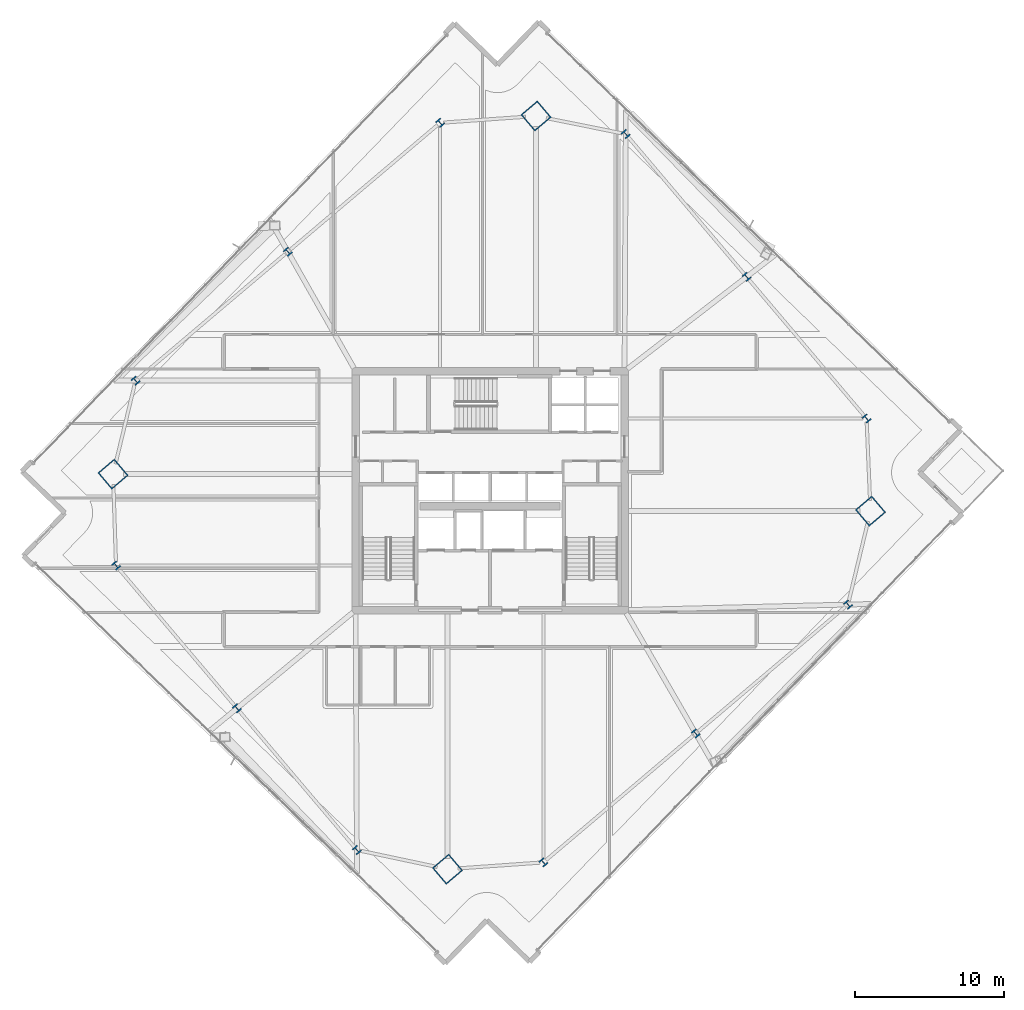
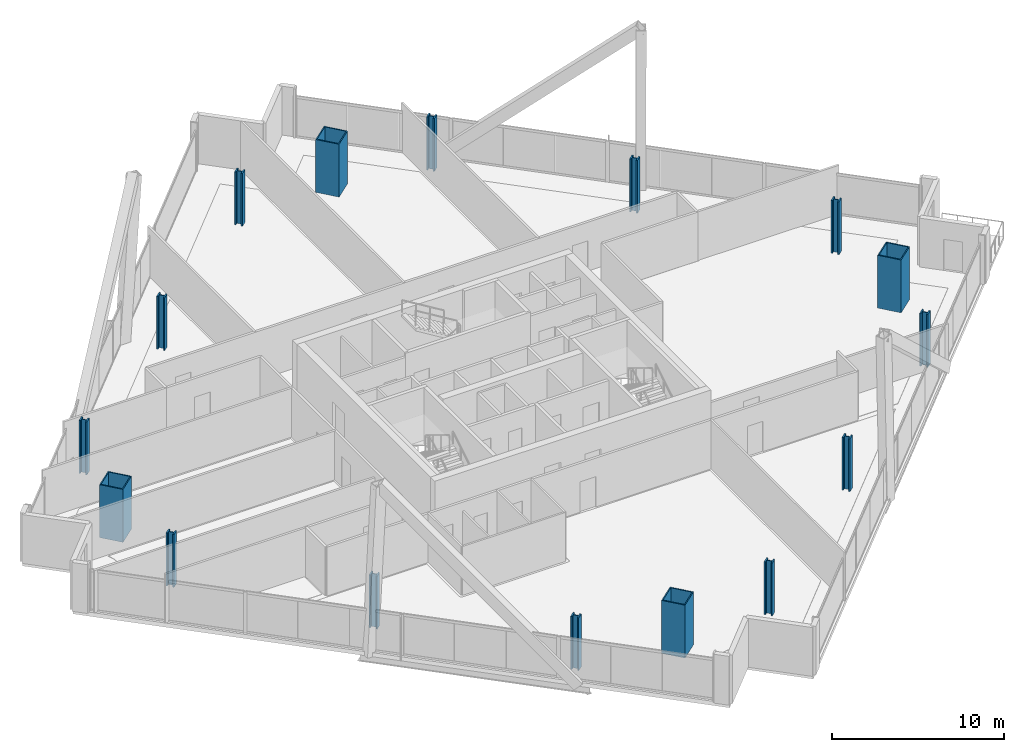
# One storey, part 1 of 33: 16 columns.
"""IFC4 building model written with IfcOpenShell, lengths in metres."""

from ifc_helpers import new_model, si_unit, direction, frame, origin, origin_2d, place, context, subcontext, project, spatial, hollow_rectangle, i_section, extrude, material, material_profile, profile_set, type_object, element, save


model = new_model("IFC4")

# Units and contexts
model_context = context("Model", 3, precision=1e-05, world=origin(), true_north=direction((0.0, 1.0)))
body_context = subcontext(model_context, "Body", "Model", "MODEL_VIEW")
ifc_project = project(units=[si_unit("LENGTHUNIT", "METRE"), si_unit("AREAUNIT", "SQUARE_METRE"), si_unit("VOLUMEUNIT", "CUBIC_METRE"), si_unit("PLANEANGLEUNIT", "RADIAN"), si_unit("MASSUNIT", "GRAM", prefix="KILO")], contexts=[model_context])

# Site, building, storey
site_placement = place(None, origin())
site = spatial("IfcSite", under=ifc_project, at=site_placement, CompositionType="ELEMENT")
building_placement = place(site_placement, origin())
building = spatial("IfcBuilding", under=site, at=building_placement, Name="Haldenkirk Collegiate Tower", CompositionType="ELEMENT")
storey_placement = place(building_placement, frame((0.0, 0.0, 181.949951171875)))
storey = spatial("IfcBuildingStorey", under=building, at=storey_placement, Name="L45", CompositionType="ELEMENT", Elevation=181.949951171875)

# Columns
ifc_material_1 = material(Name="Steel ASTM A913 Grade 65", Category="steel")
ifc_material_profile_1 = material_profile(ifc_material_1, i_section(OverallWidth=0.431884765625, OverallDepth=0.498046875, WebThickness=0.0556640625, FlangeThickness=0.0888671875, at=origin_2d()), Name="W14X500")
ifc_profile_set_1 = profile_set([ifc_material_profile_1], Name="Steel ASTM A913 Grade 65")
column_type_1 = type_object("IfcColumnType", Name="COL-INT-W14X500", PredefinedType="COLUMN", material=ifc_profile_set_1)
for number, where, z_axis, x_axis, name in (
    (1, (39.568603515625, 1.113525390625, 0.0), (0.0, 0.0, 1.0), (0.763232469783, 0.646123979643, 0.0), "L45 perimeter gravity column PC-S1"),
    (2, (49.762451171875, 9.7431640625, 0.0), (0.0, 0.0, 1.0), (0.763232469783, 0.646123979643, 0.0), "L45 perimeter gravity column PC-S2"),
    (3, (59.956298828125, 18.372802734375, 0.0), (0.0, 0.0, 1.0), (0.763232469783, 0.646123979643, 0.0), "L45 perimeter gravity column PC-S3"),
    (4, (61.199462890625, 30.82421875, 0.0), (0.0, 0.0, 1.0), (0.763232469783, 0.646123979643, 0.0), "L45 perimeter gravity column PC-E1"),
    (5, (53.17138671875, 40.307373046875, 0.0), (0.0, 0.0, 1.0), (0.763232469783, 0.646123979643, 0.0), "L45 perimeter gravity column PC-E2"),
    (6, (45.079833984375, 49.865234375, 0.0), (0.0, 0.0, 1.0), (0.763232469783, 0.646123979643, 0.0), "L45 perimeter gravity column PC-E3"),
    (7, (32.657470703125, 50.619384765625, 0.0), (0.0, 0.0, 1.0), (0.763232469783, 0.646123979643, 0.0), "L45 perimeter gravity column PC-N1"),
    (8, (22.463623046875, 41.98974609375, 0.0), (0.0, 0.0, 1.0), (0.763232469783, 0.646123979643, 0.0), "L45 perimeter gravity column PC-N2"),
    (9, (12.27001953125, 33.360107421875, 0.0), (0.0, 0.0, 1.0), (0.763232469783, 0.646123979643, 0.0), "L45 perimeter gravity column PC-N3"),
    (10, (10.96337890625, 20.9833984375, 0.0), (0.0, 0.0, 1.0), (0.763232469783, 0.646123979643, 0.0), "L45 perimeter gravity column PC-W1"),
    (11, (19.0546875, 11.425537109375, 0.0), (0.0, 0.0, 1.0), (0.763232469783, 0.646123979643, 0.0), "L45 perimeter gravity column PC-W2"),
    (12, (27.0830078125, 1.9423828125, 0.0), (0.0, 0.0, 1.0), (0.763232469783, 0.646123979643, 0.0), "L45 perimeter gravity column PC-W3"),
):
    element("IfcColumn", number, at=place(storey_placement, frame(where, z_axis=z_axis, x_axis=x_axis)), inside=storey, type_object=column_type_1, Name=name, PredefinedType="COLUMN", context=body_context, shape_type="SweptSolid", body=[
        extrude(i_section(OverallWidth=0.431884765625, OverallDepth=0.498046875, WebThickness=0.0556640625, FlangeThickness=0.0888671875, at=origin_2d()), origin(), (0.0, 0.0, 1.0), 3.75),
    ])
ifc_material_2 = material(Name="Steel ASTM A572 Grade 50", Category="steel")
ifc_material_profile_2 = material_profile(ifc_material_2, hollow_rectangle(XDim=1.449951171875, YDim=1.449951171875, WallThickness=0.070068359375, at=origin_2d()), Name="BOX1450X1450X70")
ifc_profile_set_2 = profile_set([ifc_material_profile_2], Name="Steel ASTM A572 Grade 50")
column_type_2 = type_object("IfcColumnType", Name="COL-MEGA-BOX1450X1450X70", PredefinedType="COLUMN", material=ifc_profile_set_2)
for number, where, z_axis, x_axis, name in (
    (13, (33.149169921875, 0.65771484375, 0.0), (0.0, 0.0, 1.0), (0.763232469783, 0.646123979643, 0.0), "L45 corner mega-column MC1"),
    (14, (61.465087890625, 24.62890625, 0.0), (0.0, 0.0, 1.0), (0.763232469783, 0.646123979643, 0.0), "L45 corner mega-column MC2"),
    (15, (39.076904296875, 51.074951171875, 0.0), (0.0, 0.0, 1.0), (0.763232469783, 0.646123979643, 0.0), "L45 corner mega-column MC3"),
    (16, (10.760986328125, 27.103759765625, 0.0), (0.0, 0.0, 1.0), (0.763232469783, 0.646123979643, 0.0), "L45 corner mega-column MC4"),
):
    element("IfcColumn", number, at=place(storey_placement, frame(where, z_axis=z_axis, x_axis=x_axis)), inside=storey, type_object=column_type_2, Name=name, PredefinedType="COLUMN", context=body_context, shape_type="SweptSolid", body=[
        extrude(hollow_rectangle(XDim=1.449951171875, YDim=1.449951171875, WallThickness=0.070068359375, at=origin_2d()), origin(), (0.0, 0.0, 1.0), 3.75),
    ])

save(model, "model.ifc")
